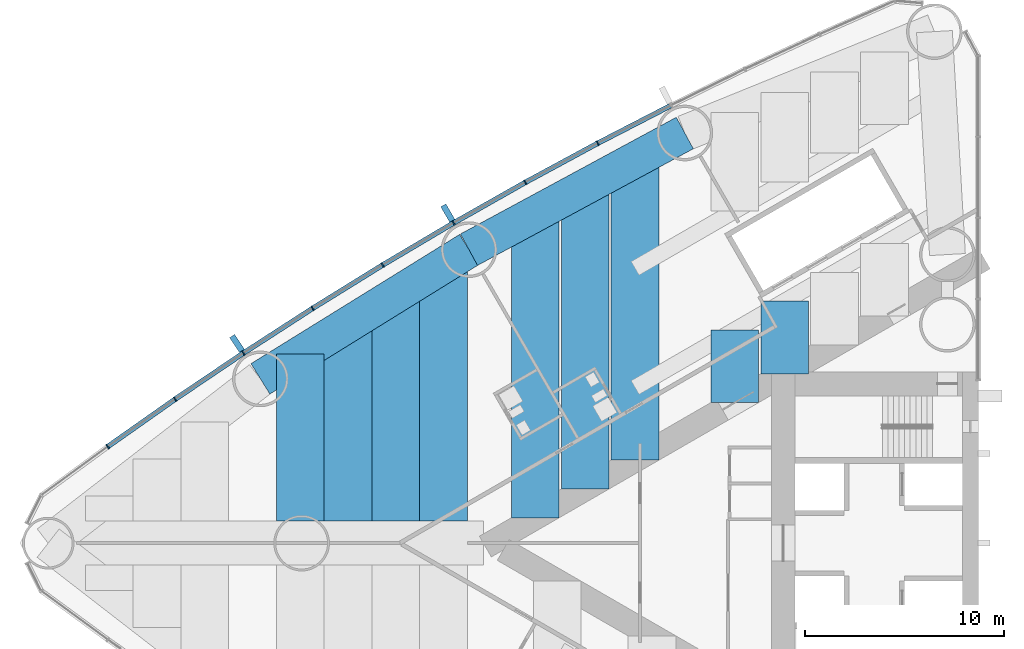
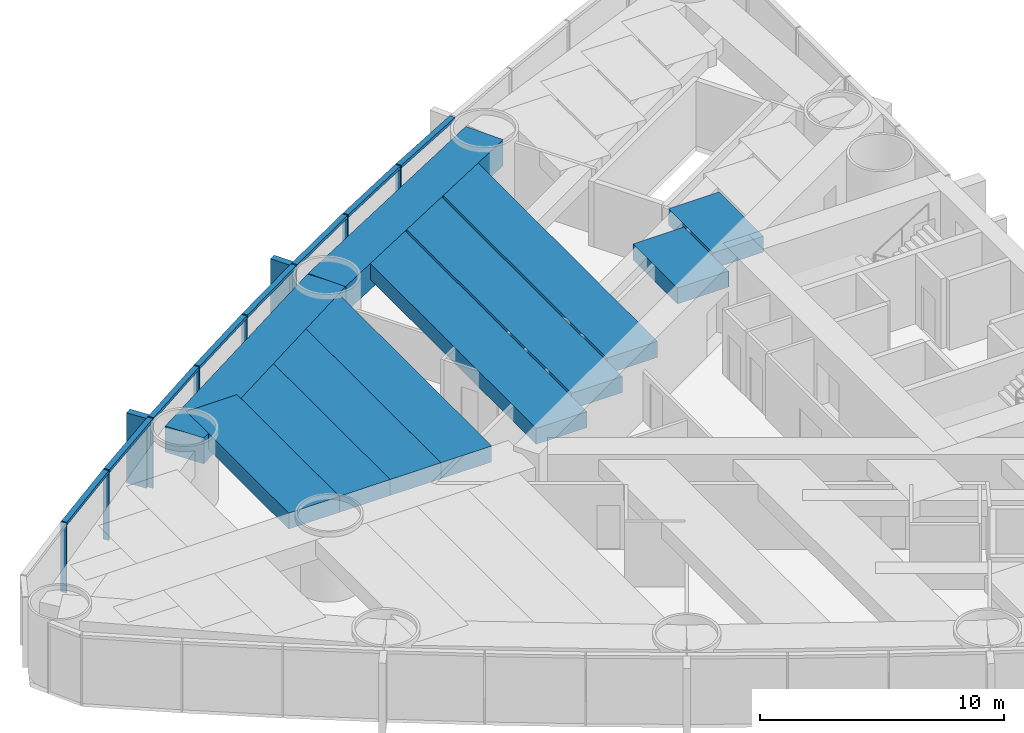
# One storey, part 4 of 19: 18 members, 11 beams, 1 element without a shape of its own.
"""IFC4 building model written with IfcOpenShell, lengths in metres."""

from ifc_helpers import new_model, si_unit, direction, frame, origin, origin_2d, place, context, subcontext, project, spatial, rectangle, extrude, material, material_profile, profile_set, type_object, element, aggregate, save


model = new_model("IFC4")

# Units and contexts
model_context = context("Model", 3, precision=1e-05, world=origin(), true_north=direction((0.0, 1.0)))
body_context = subcontext(model_context, "Body", "Model", "MODEL_VIEW")
ifc_project = project(units=[si_unit("LENGTHUNIT", "METRE"), si_unit("AREAUNIT", "SQUARE_METRE"), si_unit("VOLUMEUNIT", "CUBIC_METRE"), si_unit("PLANEANGLEUNIT", "RADIAN"), si_unit("MASSUNIT", "GRAM", prefix="KILO")], contexts=[model_context])

# Site, building, storey
site_placement = place(None, origin())
site = spatial("IfcSite", under=ifc_project, at=site_placement, CompositionType="ELEMENT")
building_placement = place(site_placement, origin())
building = spatial("IfcBuilding", under=site, at=building_placement, Name="Lancet Gate Hotel", CompositionType="ELEMENT")
storey_placement = place(building_placement, frame((0.0, 0.0, 21.5)))
storey = spatial("IfcBuildingStorey", under=building, at=storey_placement, Name="L04", CompositionType="ELEMENT", Elevation=21.5)

# Curtain wall, members
ifc_material_1 = material(Name="Aluminium curtain wall", Category="aluminium")
curtain_wall_type = type_object("IfcCurtainWallType", Name="Tower unitised curtain wall", PredefinedType="USERDEFINED", material=ifc_material_1)
curtain_wall_placement = place(storey_placement, origin())
curtain_wall = element("IfcCurtainWall", 1, at=curtain_wall_placement, inside=storey, type_object=curtain_wall_type, Name="T1 L04 curtain wall 2", ObjectType="UNITISED CURTAIN WALL", PredefinedType="USERDEFINED")
ifc_material_2 = material(Name="Aluminium mullion", Category="aluminium")
ifc_material_profile_1 = material_profile(ifc_material_2, rectangle(XDim=0.06494140625, YDim=0.25, at=origin_2d()), Name="MULLION 65x250")
ifc_profile_set_1 = profile_set([ifc_material_profile_1], Name="Aluminium mullion")
member_type_1 = type_object("IfcMemberType", Name="Aluminium mullion 65x250", PredefinedType="MULLION", material=ifc_profile_set_1)
member_1_placement = place(storey_placement, frame((-46.6220703125, 20.094970703125, 0.0), z_axis=(0.0, 0.0, 1.0), x_axis=(-0.884311132302, -0.466898084475, 0.0)))
member_1 = element("IfcMember", 2, at=member_1_placement, type_object=member_type_1, Name="T1 L04 curtain wall 2 mullion 6", PredefinedType="MULLION", context=body_context, shape_type="SweptSolid", body=[
    extrude(rectangle(XDim=0.06494140625, YDim=0.25, at=origin_2d()), origin(), (0.0, 0.0, 1.0), 3.5),
])
member_2_placement = place(storey_placement, frame((-50.26416015625, 18.1259765625, 0.0), z_axis=(0.0, 0.0, 1.0), x_axis=(-0.874991035403, -0.484139120464, 0.0)))
member_2 = element("IfcMember", 3, at=member_2_placement, type_object=member_type_1, Name="T1 L04 curtain wall 2 mullion 7", PredefinedType="MULLION", context=body_context, shape_type="SweptSolid", body=[
    extrude(rectangle(XDim=0.06494140625, YDim=0.25, at=origin_2d()), origin(), (0.0, 0.0, 1.0), 3.5),
])
member_3_placement = place(storey_placement, frame((-53.866943359375, 16.086181640625, 0.0), z_axis=(0.0, 0.0, 1.0), x_axis=(-0.86533483912, -0.501194190115, 0.0)))
member_3 = element("IfcMember", 4, at=member_3_placement, type_object=member_type_1, Name="T1 L04 curtain wall 2 mullion 8", PredefinedType="MULLION", context=body_context, shape_type="SweptSolid", body=[
    extrude(rectangle(XDim=0.06494140625, YDim=0.25, at=origin_2d()), origin(), (0.0, 0.0, 1.0), 3.5),
])
member_4_placement = place(storey_placement, frame((-57.42919921875, 13.97607421875, 0.0), z_axis=(0.0, 0.0, 1.0), x_axis=(-0.855346252548, -0.518056742309, 0.0)))
member_4 = element("IfcMember", 5, at=member_4_placement, type_object=member_type_1, Name="T1 L04 curtain wall 2 mullion 9", PredefinedType="MULLION", context=body_context, shape_type="SweptSolid", body=[
    extrude(rectangle(XDim=0.06494140625, YDim=0.25, at=origin_2d()), origin(), (0.0, 0.0, 1.0), 3.5),
])
member_5_placement = place(storey_placement, frame((-60.949462890625, 11.796630859375, 0.0), z_axis=(0.0, 0.0, 1.0), x_axis=(-0.845029112489, -0.534720299827, 0.0)))
member_5 = element("IfcMember", 6, at=member_5_placement, type_object=member_type_1, Name="T1 L04 curtain wall 2 mullion 10", PredefinedType="MULLION", context=body_context, shape_type="SweptSolid", body=[
    extrude(rectangle(XDim=0.06494140625, YDim=0.25, at=origin_2d()), origin(), (0.0, 0.0, 1.0), 3.5),
])
member_6_placement = place(storey_placement, frame((-64.42626953125, 9.548583984375, 0.0), z_axis=(0.0, 0.0, 1.0), x_axis=(-0.834387381945, -0.55117846189, 0.0)))
member_6 = element("IfcMember", 7, at=member_6_placement, type_object=member_type_1, Name="T1 L04 curtain wall 2 mullion 11", PredefinedType="MULLION", context=body_context, shape_type="SweptSolid", body=[
    extrude(rectangle(XDim=0.06494140625, YDim=0.25, at=origin_2d()), origin(), (0.0, 0.0, 1.0), 3.5),
])
member_7_placement = place(storey_placement, frame((-67.858154296875, 7.232666015625, 0.0), z_axis=(0.0, 0.0, 1.0), x_axis=(-0.823425148573, -0.56742490666, 0.0)))
member_7 = element("IfcMember", 8, at=member_7_placement, type_object=member_type_1, Name="T1 L04 curtain wall 2 mullion 12", PredefinedType="MULLION", context=body_context, shape_type="SweptSolid", body=[
    extrude(rectangle(XDim=0.06494140625, YDim=0.25, at=origin_2d()), origin(), (0.0, 0.0, 1.0), 3.5),
])
member_8_placement = place(storey_placement, frame((-71.244384765625, 4.85009765625, 0.0), z_axis=(0.0, 0.0, 1.0), x_axis=(-0.812146623168, -0.583453393578, 0.0)))
member_8 = element("IfcMember", 9, at=member_8_placement, type_object=member_type_1, Name="T1 L04 curtain wall 2 mullion 13", PredefinedType="MULLION", context=body_context, shape_type="SweptSolid", body=[
    extrude(rectangle(XDim=0.06494140625, YDim=0.25, at=origin_2d()), origin(), (0.0, 0.0, 1.0), 3.5),
])
ifc_material_3 = material(Name="Aluminium transom", Category="aluminium")
ifc_material_profile_2 = material_profile(ifc_material_3, rectangle(XDim=0.25, YDim=0.14990234375, at=origin_2d()), Name="TRANSOM 250x150")
ifc_profile_set_2 = profile_set([ifc_material_profile_2], Name="Aluminium transom")
member_type_2 = type_object("IfcMemberType", Name="Aluminium transom 250x150", PredefinedType="USERDEFINED", material=ifc_profile_set_2)
member_9_placement = place(storey_placement, frame((-42.970703125, 21.97705078125, 3.425048828125), z_axis=(-0.888859972399, -0.458178949175, 0.0), x_axis=(0.458178949175, -0.888859972399, 0.0)))
member_9 = element("IfcMember", 10, at=member_9_placement, type_object=member_type_2, Name="T1 L04 curtain wall 2 transom 5", ObjectType="TRANSOM", PredefinedType="USERDEFINED", context=body_context, shape_type="SweptSolid", body=[
    extrude(rectangle(XDim=0.25, YDim=0.14990234375, at=origin_2d()), origin(), (0.0, 0.0, 1.0), 4.0751953125),
])
member_10_placement = place(storey_placement, frame((-46.650634765625, 20.079345703125, 3.425048828125), z_axis=(-0.87971396408, -0.475503250675, 0.0), x_axis=(0.475503250675, -0.87971396408, 0.0)))
member_10 = element("IfcMember", 11, at=member_10_placement, type_object=member_type_2, Name="T1 L04 curtain wall 2 transom 6", ObjectType="TRANSOM", PredefinedType="USERDEFINED", context=body_context, shape_type="SweptSolid", body=[
    extrude(rectangle(XDim=0.25, YDim=0.14990234375, at=origin_2d()), origin(), (0.0, 0.0, 1.0), 4.0751953125),
])
member_11_placement = place(storey_placement, frame((-50.29248046875, 18.110107421875, 3.425048828125), z_axis=(-0.870197729943, -0.492702659625, 0.0), x_axis=(0.492702659625, -0.870197729943, 0.0)))
member_11 = element("IfcMember", 12, at=member_11_placement, type_object=member_type_2, Name="T1 L04 curtain wall 2 transom 7", ObjectType="TRANSOM", PredefinedType="USERDEFINED", context=body_context, shape_type="SweptSolid", body=[
    extrude(rectangle(XDim=0.25, YDim=0.14990234375, at=origin_2d()), origin(), (0.0, 0.0, 1.0), 4.0751953125),
])
member_12_placement = place(storey_placement, frame((-53.89501953125, 16.069580078125, 3.425048828125), z_axis=(-0.86039174806, -0.509633240547, 0.0), x_axis=(0.509633240547, -0.86039174806, 0.0)))
member_12 = element("IfcMember", 13, at=member_12_placement, type_object=member_type_2, Name="T1 L04 curtain wall 2 transom 8", ObjectType="TRANSOM", PredefinedType="USERDEFINED", context=body_context, shape_type="SweptSolid", body=[
    extrude(rectangle(XDim=0.25, YDim=0.14990234375, at=origin_2d()), origin(), (0.0, 0.0, 1.0), 4.0751953125),
])
member_13_placement = place(storey_placement, frame((-57.456787109375, 13.958984375, 3.425048828125), z_axis=(-0.850242165643, -0.526391736032, 0.0), x_axis=(0.526391736032, -0.850242165643, 0.0)))
member_13 = element("IfcMember", 14, at=member_13_placement, type_object=member_type_2, Name="T1 L04 curtain wall 2 transom 9", ObjectType="TRANSOM", PredefinedType="USERDEFINED", context=body_context, shape_type="SweptSolid", body=[
    extrude(rectangle(XDim=0.25, YDim=0.14990234375, at=origin_2d()), origin(), (0.0, 0.0, 1.0), 4.075439453125),
])
member_14_placement = place(storey_placement, frame((-60.976806640625, 11.779052734375, 3.425048828125), z_axis=(-0.839729242404, -0.543005340169, 0.0), x_axis=(0.543005340169, -0.839729242404, 0.0)))
member_14 = element("IfcMember", 15, at=member_14_placement, type_object=member_type_2, Name="T1 L04 curtain wall 2 transom 10", ObjectType="TRANSOM", PredefinedType="USERDEFINED", context=body_context, shape_type="SweptSolid", body=[
    extrude(rectangle(XDim=0.25, YDim=0.14990234375, at=origin_2d()), origin(), (0.0, 0.0, 1.0), 4.0751953125),
])
member_15_placement = place(storey_placement, frame((-64.453125, 9.5302734375, 3.425048828125), z_axis=(-0.828959086782, -0.559309245804, 0.0), x_axis=(0.559309245804, -0.828959086782, 0.0)))
member_15 = element("IfcMember", 16, at=member_15_placement, type_object=member_type_2, Name="T1 L04 curtain wall 2 transom 11", ObjectType="TRANSOM", PredefinedType="USERDEFINED", context=body_context, shape_type="SweptSolid", body=[
    extrude(rectangle(XDim=0.25, YDim=0.14990234375, at=origin_2d()), origin(), (0.0, 0.0, 1.0), 4.0751953125),
])
member_16_placement = place(storey_placement, frame((-67.884765625, 7.214111328125, 3.425048828125), z_axis=(-0.817833568345, -0.57545482402, 0.0), x_axis=(0.57545482402, -0.817833568345, 0.0)))
member_16 = element("IfcMember", 17, at=member_16_placement, type_object=member_type_2, Name="T1 L04 curtain wall 2 transom 12", ObjectType="TRANSOM", PredefinedType="USERDEFINED", context=body_context, shape_type="SweptSolid", body=[
    extrude(rectangle(XDim=0.25, YDim=0.14990234375, at=origin_2d()), origin(), (0.0, 0.0, 1.0), 4.075439453125),
])

# Beams
ifc_material_4 = material(Name="Concrete C50/60", Category="concrete")
ifc_material_profile_3 = material_profile(ifc_material_4, rectangle(XDim=1.800048828125, YDim=1.300048828125, at=origin_2d()), Name="RC 1800x1300")
ifc_profile_set_3 = profile_set([ifc_material_profile_3], Name="Concrete C50/60")
beam_type_1 = type_object("IfcBeamType", Name="Edge beam RC 1800x1300", PredefinedType="SPANDREL", material=ifc_profile_set_3)
for number, where, z_axis, x_axis, name in (
    (18, (-42.2451171875, 20.607421875, 2.60009765625), (-0.879692855603, -0.475542300749, 0.0), (0.475542300749, -0.879692855603, 0.0), "T1 edge beam EB1 L04"),
    (19, (-53.090087890625, 14.744873046875, 2.60009765625), (-0.850225894333, -0.526418016984, 0.0), (0.526418016984, -0.850225894333, 0.0), "T1 edge beam EB1 L04"),
):
    element("IfcBeam", number, at=place(storey_placement, frame(where, z_axis=z_axis, x_axis=x_axis)), inside=storey, type_object=beam_type_1, Name=name, PredefinedType="SPANDREL", context=body_context, shape_type="SweptSolid", body=[
        extrude(rectangle(XDim=1.800048828125, YDim=1.300048828125, at=origin_2d()), origin(), (0.0, 0.0, 1.0), 12.328125),
    ])

# Member
ifc_material_5 = material(Name="Precast concrete C50/60", Category="concrete")
ifc_material_profile_4 = material_profile(ifc_material_5, rectangle(XDim=0.300048828125, YDim=0.89990234375, at=origin_2d()), Name="FIN 300x900")
ifc_profile_set_4 = profile_set([ifc_material_profile_4], Name="Precast concrete C50/60")
member_type_3 = type_object("IfcMemberType", Name="Exposed concrete fin 300x900", PredefinedType="USERDEFINED", material=ifc_profile_set_4)
member_17_placement = place(storey_placement, frame((-54.1552734375, 16.583740234375, 0.0), z_axis=(0.0, 0.0, 1.0), x_axis=(-0.86533483912, -0.501194190115, 0.0)))
member_17 = element("IfcMember", 20, at=member_17_placement, type_object=member_type_3, Name="T1 L04 curtain wall 2 fin 8", ObjectType="FIN", PredefinedType="USERDEFINED", context=body_context, shape_type="SweptSolid", body=[
    extrude(rectangle(XDim=0.300048828125, YDim=0.89990234375, at=origin_2d()), origin(), (0.0, 0.0, 1.0), 3.5),
])

member_18_placement = place(storey_placement, frame((-64.7431640625, 10.0283203125, 0.0), z_axis=(0.0, 0.0, 1.0), x_axis=(-0.834387381945, -0.55117846189, 0.0)))
member_18 = element("IfcMember", 21, at=member_18_placement, type_object=member_type_3, Name="T1 L04 curtain wall 2 fin 11", ObjectType="FIN", PredefinedType="USERDEFINED", context=body_context, shape_type="SweptSolid", body=[
    extrude(rectangle(XDim=0.300048828125, YDim=0.89990234375, at=origin_2d()), origin(), (0.0, 0.0, 1.0), 3.5),
])

aggregate(curtain_wall, [member_1, member_2, member_3, member_17, member_4, member_5, member_6, member_18, member_7, member_8, member_9, member_10, member_11, member_12, member_13, member_14, member_15, member_16])

# Beams
ifc_material_6 = material(Name="Concrete C50/60", Category="concrete")
ifc_material_profile_5 = material_profile(ifc_material_6, rectangle(XDim=2.39990234375, YDim=0.800048828125, at=origin_2d()), Name="RC 2400x800")
ifc_profile_set_5 = profile_set([ifc_material_profile_5], Name="Concrete C50/60")
beam_type_2 = type_object("IfcBeamType", Name="Floor beam RC 2400x800", PredefinedType="BEAM", material=ifc_profile_set_5)
beam_1_placement = place(storey_placement, frame((-44.747802734375, 19.254638671875, 2.85009765625), z_axis=(0.0, -1.0, 0.0), x_axis=(1.0, 0.0, 0.0)))
element("IfcBeam", 22, at=beam_1_placement, inside=storey, type_object=beam_type_2, Name="T1 floor beam F09S L04", PredefinedType="BEAM", context=body_context, shape_type="SweptSolid", body=[
    extrude(rectangle(XDim=2.39990234375, YDim=0.800048828125, at=origin_2d()), origin(), (0.0, 0.0, 1.0), 15.0859375),
])
beam_2_placement = place(storey_placement, frame((-47.254638671875, 17.8994140625, 2.85009765625), z_axis=(0.0, -1.0, 0.0), x_axis=(1.0, 0.0, 0.0)))
element("IfcBeam", 23, at=beam_2_placement, inside=storey, type_object=beam_type_2, Name="T1 floor beam F10S L04", PredefinedType="BEAM", context=body_context, shape_type="SweptSolid", body=[
    extrude(rectangle(XDim=2.39990234375, YDim=0.800048828125, at=origin_2d()), origin(), (0.0, 0.0, 1.0), 15.177978515625),
])
beam_3_placement = place(storey_placement, frame((-49.761474609375, 16.54443359375, 2.85009765625), z_axis=(0.0, -1.0, 0.0), x_axis=(1.0, 0.0, 0.0)))
element("IfcBeam", 24, at=beam_3_placement, inside=storey, type_object=beam_type_2, Name="T1 floor beam F12S L04", PredefinedType="BEAM", context=body_context, shape_type="SweptSolid", body=[
    extrude(rectangle(XDim=2.39990234375, YDim=0.800048828125, at=origin_2d()), origin(), (0.0, 0.0, 1.0), 15.270263671875),
])
beam_4_placement = place(storey_placement, frame((-54.3681640625, 13.95361328125, 2.85009765625), z_axis=(0.0, -1.0, 0.0), x_axis=(1.0, 0.0, 0.0)))
element("IfcBeam", 25, at=beam_4_placement, inside=storey, type_object=beam_type_2, Name="T1 floor beam F13S L04", PredefinedType="BEAM", context=body_context, shape_type="SweptSolid", body=[
    extrude(rectangle(XDim=2.39990234375, YDim=0.800048828125, at=origin_2d()), origin(), (0.0, 0.0, 1.0), 12.853515625),
])
beam_5_placement = place(storey_placement, frame((-56.768310546875, 12.467529296875, 2.85009765625), z_axis=(0.0, -1.0, 0.0), x_axis=(1.0, 0.0, 0.0)))
element("IfcBeam", 26, at=beam_5_placement, inside=storey, type_object=beam_type_2, Name="T1 floor beam F15S L04", PredefinedType="BEAM", context=body_context, shape_type="SweptSolid", body=[
    extrude(rectangle(XDim=2.39990234375, YDim=0.800048828125, at=origin_2d()), origin(), (0.0, 0.0, 1.0), 11.367431640625),
])
beam_6_placement = place(storey_placement, frame((-59.168212890625, 10.981689453125, 2.85009765625), z_axis=(0.0, -1.0, 0.0), x_axis=(1.0, 0.0, 0.0)))
element("IfcBeam", 27, at=beam_6_placement, inside=storey, type_object=beam_type_2, Name="T1 floor beam F17S L04", PredefinedType="BEAM", context=body_context, shape_type="SweptSolid", body=[
    extrude(rectangle(XDim=2.39990234375, YDim=0.800048828125, at=origin_2d()), origin(), (0.0, 0.0, 1.0), 9.881591796875),
])
beam_7_placement = place(storey_placement, frame((-61.568359375, 9.495849609375, 2.85009765625), z_axis=(0.0, -1.0, 0.0), x_axis=(1.0, 0.0, 0.0)))
element("IfcBeam", 28, at=beam_7_placement, inside=storey, type_object=beam_type_2, Name="T1 floor beam F19S L04", PredefinedType="BEAM", context=body_context, shape_type="SweptSolid", body=[
    extrude(rectangle(XDim=2.39990234375, YDim=0.800048828125, at=origin_2d()), origin(), (0.0, 0.0, 1.0), 8.395751953125),
])
beam_8_placement = place(storey_placement, frame((-37.227294921875, 12.15625, 2.85009765625), z_axis=(0.0, -1.0, 0.0), x_axis=(1.0, 0.0, 0.0)))
element("IfcBeam", 29, at=beam_8_placement, inside=storey, type_object=beam_type_2, Name="T1 floor beam F05SB L04", PredefinedType="BEAM", context=body_context, shape_type="SweptSolid", body=[
    extrude(rectangle(XDim=2.39990234375, YDim=0.800048828125, at=origin_2d()), origin(), (0.0, 0.0, 1.0), 3.6455078125),
])
beam_9_placement = place(storey_placement, frame((-39.734130859375, 10.708740234375, 2.85009765625), z_axis=(0.0, -1.0, 0.0), x_axis=(1.0, 0.0, 0.0)))
element("IfcBeam", 30, at=beam_9_placement, inside=storey, type_object=beam_type_2, Name="T1 floor beam F07SB L04", PredefinedType="BEAM", context=body_context, shape_type="SweptSolid", body=[
    extrude(rectangle(XDim=2.39990234375, YDim=0.800048828125, at=origin_2d()), origin(), (0.0, 0.0, 1.0), 3.645263671875),
])

save(model, "model.ifc")
